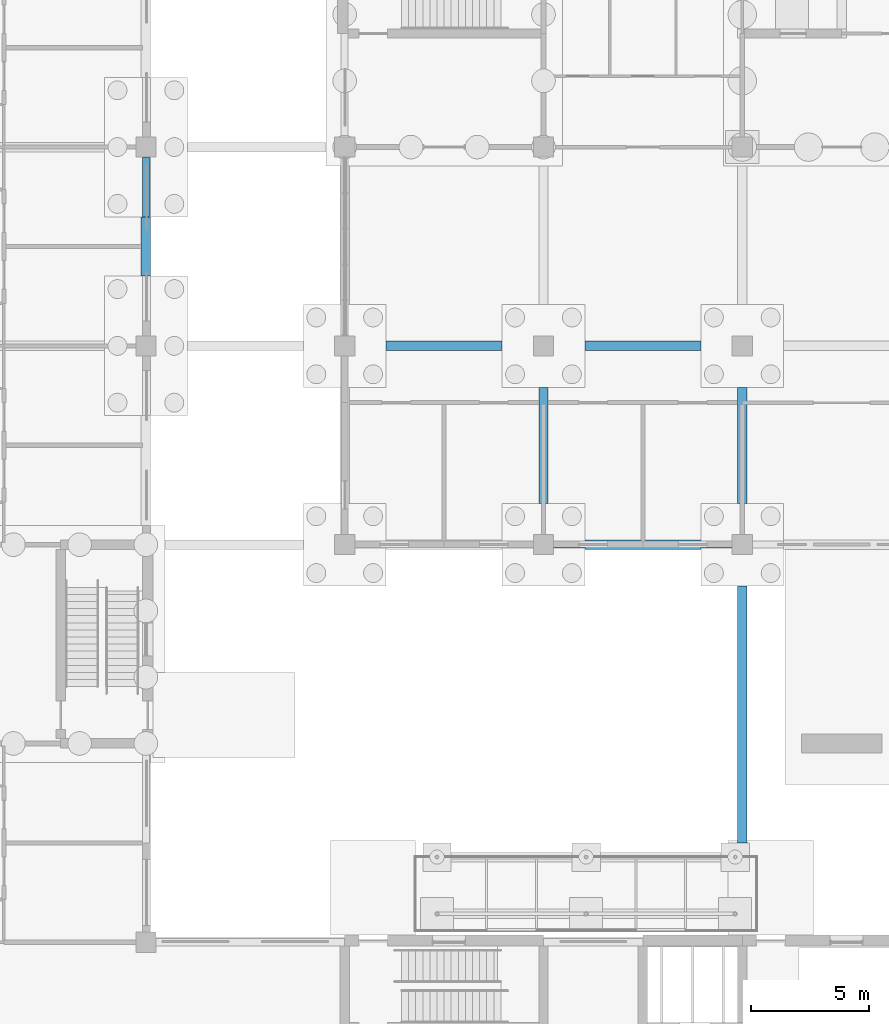
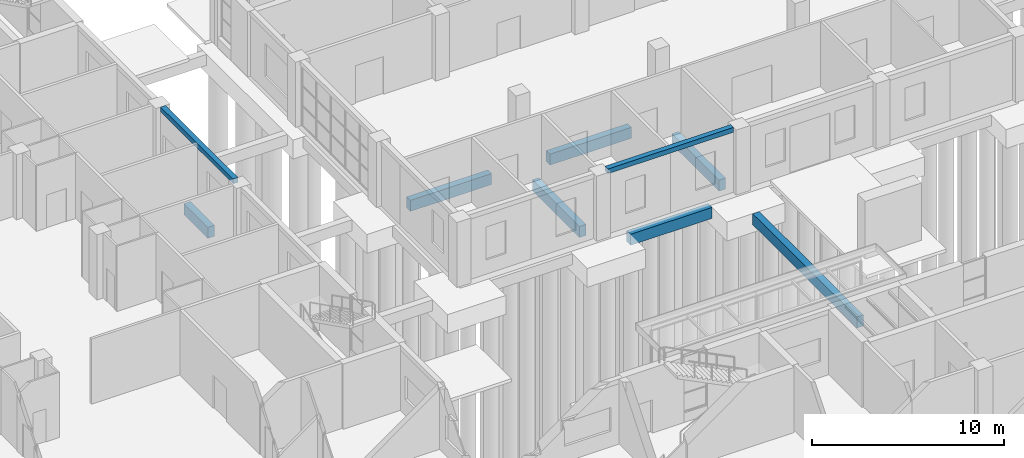
# One storey, part 43 of 138: 9 beams.
"""IFC4 building model written with IfcOpenShell, lengths in metres."""

from ifc_helpers import new_model, si_unit, direction, frame, origin, origin_2d, place, context, subcontext, project, spatial, rectangle, extrude, material, material_profile, profile_set, type_object, element, save


model = new_model("IFC4")

# Units and contexts
model_context = context("Model", 3, precision=1e-05, world=origin(), true_north=direction((0.0, 1.0)))
body_context = subcontext(model_context, "Body", "Model", "MODEL_VIEW")
ifc_project = project(units=[si_unit("LENGTHUNIT", "METRE"), si_unit("AREAUNIT", "SQUARE_METRE"), si_unit("VOLUMEUNIT", "CUBIC_METRE"), si_unit("PLANEANGLEUNIT", "RADIAN"), si_unit("MASSUNIT", "GRAM", prefix="KILO")], contexts=[model_context])

# Site, building, storey
site_placement = place(None, origin())
site = spatial("IfcSite", under=ifc_project, at=site_placement, CompositionType="ELEMENT")
building_placement = place(site_placement, origin())
building = spatial("IfcBuilding", under=site, at=building_placement, Name="Yavir Park General Hospital", CompositionType="ELEMENT")
storey_placement = place(building_placement, origin())
storey = spatial("IfcBuildingStorey", under=building, at=storey_placement, Name="L00", CompositionType="ELEMENT", Elevation=0.0)

# Beams
ifc_material_1 = material(Name="Concrete C35/45", Category="concrete")
ifc_material_profile_1 = material_profile(ifc_material_1, rectangle(XDim=0.300048828125, YDim=0.300048828125, at=origin_2d()), Name="RC300x300")
ifc_profile_set_1 = profile_set([ifc_material_profile_1], Name="Concrete C35/45")
beam_type_1 = type_object("IfcBeamType", Name="RC BEAM 300x300 edge beam", PredefinedType="BEAM", material=ifc_profile_set_1)
beam_1_placement = place(storey_placement, frame((42.425048828125, 50.39990234375, 3.989990234375), z_axis=(1.0, 0.0, 0.0), x_axis=(0.0, 1.0, 0.0)))
element("IfcBeam", 1, at=beam_1_placement, inside=storey, type_object=beam_type_1, Name="B:EDGE:L00:020", PredefinedType="BEAM", context=body_context, shape_type="SweptSolid", body=[
    extrude(rectangle(XDim=0.300048828125, YDim=0.300048828125, at=origin_2d()), origin(), (0.0, 0.0, 1.0), 7.550048828125),
])
beam_2_placement = place(storey_placement, frame((25.199951171875, 59.22509765625, 3.989990234375), z_axis=(0.0, 1.0, 0.0), x_axis=(-1.0, 0.0, 0.0)))
element("IfcBeam", 2, at=beam_2_placement, inside=storey, type_object=beam_type_1, Name="B:EDGE:L00:037", PredefinedType="BEAM", context=body_context, shape_type="SweptSolid", body=[
    extrude(rectangle(XDim=0.300048828125, YDim=0.300048828125, at=origin_2d()), origin(), (0.0, 0.0, 1.0), 7.5498046875),
])
ifc_material_2 = material(Name="Concrete C35/45", Category="concrete")
ifc_material_profile_2 = material_profile(ifc_material_2, rectangle(XDim=0.39990234375, YDim=0.699951171875, at=origin_2d()), Name="RC400x700")
ifc_profile_set_2 = profile_set([ifc_material_profile_2], Name="Concrete C35/45")
beam_type_2 = type_object("IfcBeamType", Name="RC BEAM 400x700 ground beam", PredefinedType="BEAM", material=ifc_profile_set_2)
for number, where, z_axis, x_axis, name in (
    (3, (35.35009765625, 58.800048828125, -0.800048828125), (1.0, 0.0, 0.0), (0.0, 1.0, 0.0), "B:GND:L00:5H:L00:6H"),
    (4, (43.75, 50.39990234375, -0.800048828125), (1.0, 0.0, 0.0), (0.0, 1.0, 0.0), "B:GND:L00:6G:L00:7G"),
    (5, (43.75, 58.800048828125, -0.800048828125), (1.0, 0.0, 0.0), (0.0, 1.0, 0.0), "B:GND:L00:6H:L00:7H"),
):
    element("IfcBeam", number, at=place(storey_placement, frame(where, z_axis=z_axis, x_axis=x_axis)), inside=storey, type_object=beam_type_2, Name=name, PredefinedType="BEAM", context=body_context, shape_type="SweptSolid", body=[
        extrude(rectangle(XDim=0.39990234375, YDim=0.699951171875, at=origin_2d()), origin(), (0.0, 0.0, 1.0), 4.89990234375),
    ])
beam_3_placement = place(storey_placement, frame((50.39990234375, 37.800048828125, -0.800048828125), z_axis=(0.0, 1.0, 0.0), x_axis=(-1.0, 0.0, 0.0)))
element("IfcBeam", 6, at=beam_3_placement, inside=storey, type_object=beam_type_2, Name="B:GND:ARC1:C12:L00:7G", PredefinedType="BEAM", context=body_context, shape_type="SweptSolid", body=[
    extrude(rectangle(XDim=0.39990234375, YDim=0.699951171875, at=origin_2d()), origin(), (0.0, 0.0, 1.0), 10.849853515625),
])
beam_4_placement = place(storey_placement, frame((25.199951171875, 61.75, -0.800048828125), z_axis=(0.0, 1.0, 0.0), x_axis=(-1.0, 0.0, 0.0)))
element("IfcBeam", 7, at=beam_4_placement, inside=storey, type_object=beam_type_2, Name="B:GND:L00:4H:L00:4J", PredefinedType="BEAM", context=body_context, shape_type="SweptSolid", body=[
    extrude(rectangle(XDim=0.39990234375, YDim=0.699951171875, at=origin_2d()), origin(), (0.0, 0.0, 1.0), 2.5),
])
for number, where, z_axis, x_axis, name in (
    (8, (42.0, 52.14990234375, -0.800048828125), (0.0, 1.0, 0.0), (-1.0, 0.0, 0.0), "B:GND:L00:6G:L00:6H"),
    (9, (50.39990234375, 52.14990234375, -0.800048828125), (0.0, 1.0, 0.0), (-1.0, 0.0, 0.0), "B:GND:L00:7G:L00:7H"),
):
    element("IfcBeam", number, at=place(storey_placement, frame(where, z_axis=z_axis, x_axis=x_axis)), inside=storey, type_object=beam_type_2, Name=name, PredefinedType="BEAM", context=body_context, shape_type="SweptSolid", body=[
        extrude(rectangle(XDim=0.39990234375, YDim=0.699951171875, at=origin_2d()), origin(), (0.0, 0.0, 1.0), 4.900146484375),
    ])

save(model, "model.ifc")
